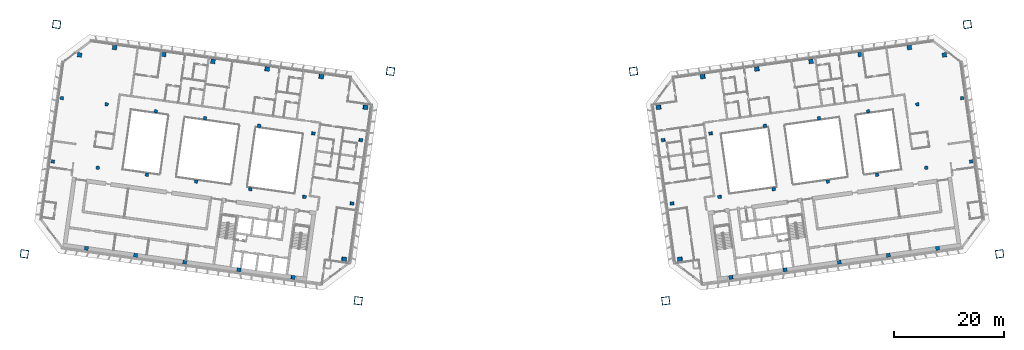
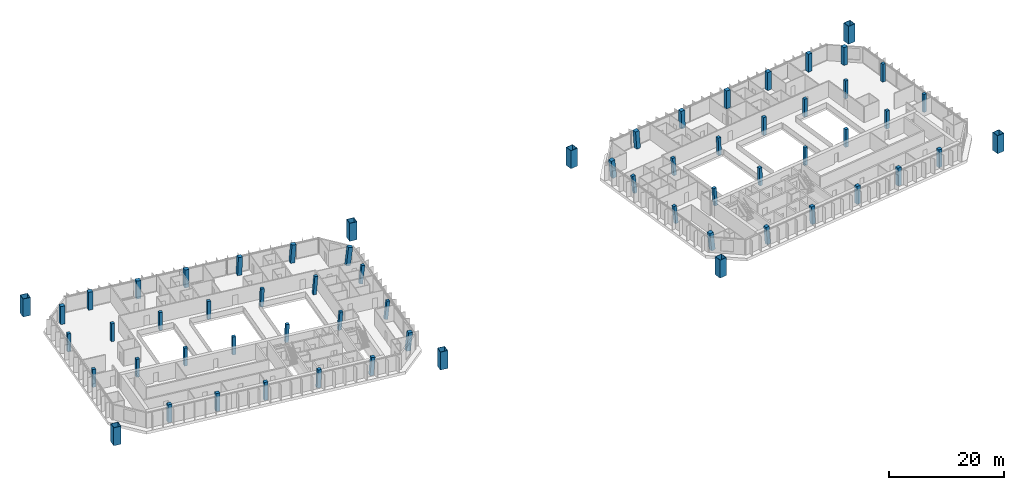
# One storey, part 1 of 23: 62 columns.
"""IFC4 building model written with IfcOpenShell, lengths in metres."""

from ifc_helpers import new_model, si_unit, direction, frame, origin, origin_2d, place, context, subcontext, project, spatial, rectangle, hollow_rectangle, extrude, material, material_profile, profile_set, type_object, element, save


model = new_model("IFC4")

# Units and contexts
model_context = context("Model", 3, precision=1e-05, world=origin(), true_north=direction((0.0, 1.0)))
body_context = subcontext(model_context, "Body", "Model", "MODEL_VIEW")
ifc_project = project(units=[si_unit("LENGTHUNIT", "METRE"), si_unit("AREAUNIT", "SQUARE_METRE"), si_unit("VOLUMEUNIT", "CUBIC_METRE"), si_unit("PLANEANGLEUNIT", "RADIAN"), si_unit("MASSUNIT", "GRAM", prefix="KILO")], contexts=[model_context])

# Site, building, storey
site_placement = place(None, origin())
site = spatial("IfcSite", under=ifc_project, at=site_placement, CompositionType="ELEMENT")
building_placement = place(site_placement, origin())
building = spatial("IfcBuilding", under=site, at=building_placement, Name="Mirante Cascada Hotel Towers", CompositionType="ELEMENT")
storey_placement = place(building_placement, frame((0.0, 0.0, 199.2)))
storey = spatial("IfcBuildingStorey", under=building, at=storey_placement, Name="L47", CompositionType="ELEMENT", Elevation=199.2)

# Columns
ifc_material_1 = material(Name="Steel ASTM A572 Gr 50", Category="steel")
ifc_material_profile_1 = material_profile(ifc_material_1, hollow_rectangle(XDim=1.4, YDim=1.4, WallThickness=0.06, at=origin_2d()), Name="Box column 1400x1400x60 ASTM A572 Gr 50")
ifc_profile_set_1 = profile_set([ifc_material_profile_1], Name="Steel ASTM A572 Gr 50")
column_type_1 = type_object("IfcColumnType", Name="Box column 1400x1400x60 ASTM A572 Gr 50", PredefinedType="COLUMN", material=ifc_profile_set_1)
for number, where, z_axis, x_axis, name in (
    (1, (-22.0227, 18.0852, 0.0), (0.0, 0.0, 1.0), (-0.9902681, 0.1391731, 0.0), "Mega column MC1 T1 L47"),
    (2, (-27.868, -23.506, 0.0), (0.0, 0.0, 1.0), (-0.9902681, 0.1391731, 0.0), "Mega column MC2 T1 L47"),
    (3, (-82.5324, 26.5893, 0.0), (0.0, 0.0, 1.0), (-0.9902681, 0.1391731, 0.0), "Mega column MC3 T1 L47"),
    (4, (-88.3776, -15.0019, 0.0), (0.0, 0.0, 1.0), (-0.9902681, 0.1391731, 0.0), "Mega column MC4 T1 L47"),
    (5, (22.0227, 18.0852, 0.0), (0.0, 0.0, 1.0), (0.9902681, 0.1391731, 0.0), "Mega column MC1 T2 L47"),
    (6, (27.868, -23.506, 0.0), (0.0, 0.0, 1.0), (0.9902681, 0.1391731, 0.0), "Mega column MC2 T2 L47"),
    (7, (82.5324, 26.5893, 0.0), (0.0, 0.0, 1.0), (0.9902681, 0.1391731, 0.0), "Mega column MC3 T2 L47"),
    (8, (88.3776, -15.0019, 0.0), (0.0, 0.0, 1.0), (0.9902681, 0.1391731, 0.0), "Mega column MC4 T2 L47"),
):
    element("IfcColumn", number, at=place(storey_placement, frame(where, z_axis=z_axis, x_axis=x_axis)), inside=storey, type_object=column_type_1, Name=name, PredefinedType="COLUMN", context=body_context, shape_type="SweptSolid", body=[
        extrude(hollow_rectangle(XDim=1.4, YDim=1.4, WallThickness=0.06, at=origin_2d()), origin(), (0.0, 0.0, 1.0), 3.8),
    ])
ifc_material_2 = material(Name="Concrete C50/60", Category="concrete")
ifc_material_profile_2 = material_profile(ifc_material_2, rectangle(XDim=0.6, YDim=0.6, at=origin_2d()), Name="RC column 600x600 C50/60")
ifc_profile_set_2 = profile_set([ifc_material_profile_2], Name="Concrete C50/60")
column_type_2 = type_object("IfcColumnType", Name="RC column 600x600 C50/60", PredefinedType="COLUMN", material=ifc_profile_set_2)
for number, where, z_axis, x_axis, name in (
    (9, (-27.4685, 5.6219, 0.004), (0.1066804, -0.0149966, 0.9941803), (0.1392064, 0.9902634, 0.0), "Column T1 L47 2"),
    (10, (-29.0829, -5.8653, 0.004), (0.1066804, -0.0149704, 0.9941807), (0.1389677, 0.9902969, 0.0), "Column T1 L47 3"),
):
    element("IfcColumn", number, at=place(storey_placement, frame(where, z_axis=z_axis, x_axis=x_axis)), inside=storey, type_object=column_type_2, Name=name, PredefinedType="COLUMN", context=body_context, shape_type="SweptSolid", body=[
        extrude(rectangle(XDim=0.6, YDim=0.6, at=origin_2d()), origin(), (0.0, 0.0, 1.0), 3.8142),
    ])
for number, where, z_axis, x_axis, name in (
    (11, (-36.0583, 6.8291, 0.004), (0.0773996, -0.0108843, 0.9969407), (0.1392548, 0.9902566, 0.0), "Column T1 L47 6"),
    (12, (-37.6727, -4.658, 0.004), (0.0773996, -0.0108843, 0.9969407), (0.1392548, 0.9902566, 0.0), "Column T1 L47 7"),
):
    element("IfcColumn", number, at=place(storey_placement, frame(where, z_axis=z_axis, x_axis=x_axis)), inside=storey, type_object=column_type_2, Name=name, PredefinedType="COLUMN", context=body_context, shape_type="SweptSolid", body=[
        extrude(rectangle(XDim=0.6, YDim=0.6, at=origin_2d()), origin(), (0.0, 0.0, 1.0), 3.8036),
    ])
for number, where, z_axis, x_axis, name in (
    (13, (-45.848, 8.2049, 0.004), (0.0387888, -0.0054547, 0.9992325), (0.1392548, 0.9902566, 0.0), "Column T1 L47 10"),
    (14, (-47.4624, -3.2822, 0.004), (0.0387888, -0.0054547, 0.9992325), (0.1392548, 0.9902566, 0.0), "Column T1 L47 11"),
):
    element("IfcColumn", number, at=place(storey_placement, frame(where, z_axis=z_axis, x_axis=x_axis)), inside=storey, type_object=column_type_2, Name=name, PredefinedType="COLUMN", context=body_context, shape_type="SweptSolid", body=[
        extrude(rectangle(XDim=0.6, YDim=0.6, at=origin_2d()), origin(), (0.0, 0.0, 1.0), 3.7949),
    ])
for number, where, z_axis, x_axis, name in (
    (15, (-55.6378, 9.5808, 0.0), (0.0, 0.0, 1.0), (-0.9902681, 0.1391731, 0.0), "Column T1 L47 14"),
    (16, (-57.2522, -1.9063, 0.0), (0.0, 0.0, 1.0), (-0.9902681, 0.1391731, 0.0), "Column T1 L47 15"),
    (17, (-64.5502, 10.8333, 0.0), (0.0, 0.0, 1.0), (-0.9902681, 0.1391731, 0.0), "Column T1 L47 18"),
    (18, (-66.1646, -0.6538, 0.0), (0.0, 0.0, 1.0), (-0.9902681, 0.1391731, 0.0), "Column T1 L47 19"),
    (19, (-73.4626, 12.0859, 0.0), (0.0, 0.0, 1.0), (-0.9902681, 0.1391731, 0.0), "Column T1 L47 22"),
    (20, (-75.077, 0.5988, 0.0), (0.0, 0.0, 1.0), (-0.9902681, 0.1391731, 0.0), "Column T1 L47 23"),
    (21, (-81.5828, 13.2271, 0.0), (0.0, 0.0, 1.0), (-0.9902681, 0.1391731, 0.0), "Column T1 L47 26"),
    (22, (-83.1972, 1.74, 0.0), (0.0, 0.0, 1.0), (-0.9902681, 0.1391731, 0.0), "Column T1 L47 27"),
):
    element("IfcColumn", number, at=place(storey_placement, frame(where, z_axis=z_axis, x_axis=x_axis)), inside=storey, type_object=column_type_2, Name=name, PredefinedType="COLUMN", context=body_context, shape_type="SweptSolid", body=[
        extrude(rectangle(XDim=0.6, YDim=0.6, at=origin_2d()), origin(), (0.0, 0.0, 1.0), 3.8),
    ])
for number, where, z_axis, x_axis, name in (
    (23, (27.4685, 5.6219, 0.004), (-0.1066804, -0.0149966, 0.9941803), (0.1392064, -0.9902634, 0.0), "Column T2 L47 2"),
    (24, (29.0829, -5.8653, 0.004), (-0.1066804, -0.0149704, 0.9941807), (0.1389677, -0.9902969, 0.0), "Column T2 L47 3"),
):
    element("IfcColumn", number, at=place(storey_placement, frame(where, z_axis=z_axis, x_axis=x_axis)), inside=storey, type_object=column_type_2, Name=name, PredefinedType="COLUMN", context=body_context, shape_type="SweptSolid", body=[
        extrude(rectangle(XDim=0.6, YDim=0.6, at=origin_2d()), origin(), (0.0, 0.0, 1.0), 3.8142),
    ])
for number, where, z_axis, x_axis, name in (
    (25, (36.0583, 6.8291, 0.004), (-0.0773996, -0.0108843, 0.9969407), (0.1392548, -0.9902566, 0.0), "Column T2 L47 6"),
    (26, (37.6727, -4.658, 0.004), (-0.0773996, -0.0108843, 0.9969407), (0.1392548, -0.9902566, 0.0), "Column T2 L47 7"),
):
    element("IfcColumn", number, at=place(storey_placement, frame(where, z_axis=z_axis, x_axis=x_axis)), inside=storey, type_object=column_type_2, Name=name, PredefinedType="COLUMN", context=body_context, shape_type="SweptSolid", body=[
        extrude(rectangle(XDim=0.6, YDim=0.6, at=origin_2d()), origin(), (0.0, 0.0, 1.0), 3.8036),
    ])
for number, where, z_axis, x_axis, name in (
    (27, (45.848, 8.2049, 0.004), (-0.0387888, -0.0054547, 0.9992325), (0.1392548, -0.9902566, 0.0), "Column T2 L47 10"),
    (28, (47.4624, -3.2822, 0.004), (-0.0387888, -0.0054547, 0.9992325), (0.1392548, -0.9902566, 0.0), "Column T2 L47 11"),
):
    element("IfcColumn", number, at=place(storey_placement, frame(where, z_axis=z_axis, x_axis=x_axis)), inside=storey, type_object=column_type_2, Name=name, PredefinedType="COLUMN", context=body_context, shape_type="SweptSolid", body=[
        extrude(rectangle(XDim=0.6, YDim=0.6, at=origin_2d()), origin(), (0.0, 0.0, 1.0), 3.7949),
    ])
for number, where, z_axis, x_axis, name in (
    (29, (55.6378, 9.5808, 0.0), (0.0, 0.0, 1.0), (0.9902681, 0.1391731, 0.0), "Column T2 L47 14"),
    (30, (57.2522, -1.9063, 0.0), (0.0, 0.0, 1.0), (0.9902681, 0.1391731, 0.0), "Column T2 L47 15"),
    (31, (64.5502, 10.8333, 0.0), (0.0, 0.0, 1.0), (0.9902681, 0.1391731, 0.0), "Column T2 L47 18"),
    (32, (66.1646, -0.6538, 0.0), (0.0, 0.0, 1.0), (0.9902681, 0.1391731, 0.0), "Column T2 L47 19"),
    (33, (73.4626, 12.0859, 0.0), (0.0, 0.0, 1.0), (0.9902681, 0.1391731, 0.0), "Column T2 L47 22"),
    (34, (75.077, 0.5988, 0.0), (0.0, 0.0, 1.0), (0.9902681, 0.1391731, 0.0), "Column T2 L47 23"),
    (35, (81.5828, 13.2271, 0.0), (0.0, 0.0, 1.0), (0.9902681, 0.1391731, 0.0), "Column T2 L47 26"),
    (36, (83.1972, 1.74, 0.0), (0.0, 0.0, 1.0), (0.9902681, 0.1391731, 0.0), "Column T2 L47 27"),
):
    element("IfcColumn", number, at=place(storey_placement, frame(where, z_axis=z_axis, x_axis=x_axis)), inside=storey, type_object=column_type_2, Name=name, PredefinedType="COLUMN", context=body_context, shape_type="SweptSolid", body=[
        extrude(rectangle(XDim=0.6, YDim=0.6, at=origin_2d()), origin(), (0.0, 0.0, 1.0), 3.8),
    ])
ifc_material_3 = material(Name="Concrete C50/60", Category="concrete")
ifc_material_profile_3 = material_profile(ifc_material_3, rectangle(XDim=0.7, YDim=0.7, at=origin_2d()), Name="RC column 700x700 C50/60")
ifc_profile_set_3 = profile_set([ifc_material_profile_3], Name="Concrete C50/60")
column_type_3 = type_object("IfcColumnType", Name="RC column 700x700 C50/60", PredefinedType="COLUMN", material=ifc_profile_set_3)
column_1_placement = place(storey_placement, frame((-39.7255, -19.2645, 0.004), z_axis=(0.0773996, -0.0108843, 0.9969407), x_axis=(0.1392548, 0.9902566, 0.0)))
element("IfcColumn", 37, at=column_1_placement, inside=storey, type_object=column_type_3, Name="Column T1 L47 8", PredefinedType="COLUMN", context=body_context, shape_type="SweptSolid", body=[
    extrude(rectangle(XDim=0.7, YDim=0.7, at=origin_2d()), origin(), (0.0, 0.0, 1.0), 3.8036),
])
column_2_placement = place(storey_placement, frame((-49.5152, -17.8886, 0.004), z_axis=(0.0387888, -0.0054547, 0.9992325), x_axis=(0.1392548, 0.9902566, 0.0)))
element("IfcColumn", 38, at=column_2_placement, inside=storey, type_object=column_type_3, Name="Column T1 L47 12", PredefinedType="COLUMN", context=body_context, shape_type="SweptSolid", body=[
    extrude(rectangle(XDim=0.7, YDim=0.7, at=origin_2d()), origin(), (0.0, 0.0, 1.0), 3.7949),
])
for number, where, z_axis, x_axis, name in (
    (39, (-59.305, -16.5128, 0.0), (0.0, 0.0, 1.0), (-0.9902681, 0.1391731, 0.0), "Column T1 L47 16"),
    (40, (-68.2174, -15.2602, 0.0), (0.0, 0.0, 1.0), (-0.9902681, 0.1391731, 0.0), "Column T1 L47 20"),
    (41, (-77.1298, -14.0077, 0.0), (0.0, 0.0, 1.0), (-0.9902681, 0.1391731, 0.0), "Column T1 L47 24"),
):
    element("IfcColumn", number, at=place(storey_placement, frame(where, z_axis=z_axis, x_axis=x_axis)), inside=storey, type_object=column_type_3, Name=name, PredefinedType="COLUMN", context=body_context, shape_type="SweptSolid", body=[
        extrude(rectangle(XDim=0.7, YDim=0.7, at=origin_2d()), origin(), (0.0, 0.0, 1.0), 3.8),
    ])
column_3_placement = place(storey_placement, frame((39.7255, -19.2645, 0.004), z_axis=(-0.0773996, -0.0108843, 0.9969407), x_axis=(0.1392548, -0.9902566, 0.0)))
element("IfcColumn", 42, at=column_3_placement, inside=storey, type_object=column_type_3, Name="Column T2 L47 8", PredefinedType="COLUMN", context=body_context, shape_type="SweptSolid", body=[
    extrude(rectangle(XDim=0.7, YDim=0.7, at=origin_2d()), origin(), (0.0, 0.0, 1.0), 3.8036),
])
column_4_placement = place(storey_placement, frame((49.5152, -17.8886, 0.004), z_axis=(-0.0387888, -0.0054547, 0.9992325), x_axis=(0.1392548, -0.9902566, 0.0)))
element("IfcColumn", 43, at=column_4_placement, inside=storey, type_object=column_type_3, Name="Column T2 L47 12", PredefinedType="COLUMN", context=body_context, shape_type="SweptSolid", body=[
    extrude(rectangle(XDim=0.7, YDim=0.7, at=origin_2d()), origin(), (0.0, 0.0, 1.0), 3.7949),
])
for number, where, z_axis, x_axis, name in (
    (44, (59.305, -16.5128, 0.0), (0.0, 0.0, 1.0), (0.9902681, 0.1391731, 0.0), "Column T2 L47 16"),
    (45, (68.2174, -15.2602, 0.0), (0.0, 0.0, 1.0), (0.9902681, 0.1391731, 0.0), "Column T2 L47 20"),
    (46, (77.1298, -14.0077, 0.0), (0.0, 0.0, 1.0), (0.9902681, 0.1391731, 0.0), "Column T2 L47 24"),
):
    element("IfcColumn", number, at=place(storey_placement, frame(where, z_axis=z_axis, x_axis=x_axis)), inside=storey, type_object=column_type_3, Name=name, PredefinedType="COLUMN", context=body_context, shape_type="SweptSolid", body=[
        extrude(rectangle(XDim=0.7, YDim=0.7, at=origin_2d()), origin(), (0.0, 0.0, 1.0), 3.8),
    ])
ifc_material_4 = material(Name="Concrete C50/60", Category="concrete")
ifc_material_profile_4 = material_profile(ifc_material_4, rectangle(XDim=0.8, YDim=0.8, at=origin_2d()), Name="RC column 800x800 C50/60")
ifc_profile_set_4 = profile_set([ifc_material_profile_4], Name="Concrete C50/60")
column_type_4 = type_object("IfcColumnType", Name="RC column 800x800 C50/60", PredefinedType="COLUMN", material=ifc_profile_set_4)
for number, where, z_axis, x_axis, name in (
    (47, (-26.6334, 11.5635, 0.004), (0.1066544, -0.0149966, 0.994183), (0.1392399, 0.9902587, 0.0), "Column T1 L47 1"),
    (48, (-30.5024, -15.966, 0.004), (0.1066544, -0.0149966, 0.994183), (0.1392399, 0.9902587, 0.0), "Column T1 L47 4"),
):
    element("IfcColumn", number, at=place(storey_placement, frame(where, z_axis=z_axis, x_axis=x_axis)), inside=storey, type_object=column_type_4, Name=name, PredefinedType="COLUMN", context=body_context, shape_type="SweptSolid", body=[
        extrude(rectangle(XDim=0.8, YDim=0.8, at=origin_2d()), origin(), (0.0, 0.0, 1.0), 3.8142),
    ])
column_5_placement = place(storey_placement, frame((-34.6109, 17.1279, 0.004), z_axis=(0.0773996, -0.0108843, 0.9969407), x_axis=(0.1392548, 0.9902566, 0.0)))
element("IfcColumn", 49, at=column_5_placement, inside=storey, type_object=column_type_4, Name="Column T1 L47 5", PredefinedType="COLUMN", context=body_context, shape_type="SweptSolid", body=[
    extrude(rectangle(XDim=0.8, YDim=0.8, at=origin_2d()), origin(), (0.0, 0.0, 1.0), 3.8036),
])
column_6_placement = place(storey_placement, frame((-44.4006, 18.5037, 0.004), z_axis=(0.0387888, -0.0054547, 0.9992325), x_axis=(0.1392548, 0.9902566, 0.0)))
element("IfcColumn", 50, at=column_6_placement, inside=storey, type_object=column_type_4, Name="Column T1 L47 9", PredefinedType="COLUMN", context=body_context, shape_type="SweptSolid", body=[
    extrude(rectangle(XDim=0.8, YDim=0.8, at=origin_2d()), origin(), (0.0, 0.0, 1.0), 3.7949),
])
for number, where, z_axis, x_axis, name in (
    (51, (-54.1904, 19.8796, 0.0), (0.0, 0.0, 1.0), (-0.9902681, 0.1391731, 0.0), "Column T1 L47 13"),
    (52, (-63.1028, 21.1321, 0.0), (0.0, 0.0, 1.0), (-0.9902681, 0.1391731, 0.0), "Column T1 L47 17"),
    (53, (-72.0152, 22.3847, 0.0), (0.0, 0.0, 1.0), (-0.9902681, 0.1391731, 0.0), "Column T1 L47 21"),
    (54, (-78.362, 21.0551, 0.0), (0.0, 0.0, 1.0), (-0.9902681, 0.1391731, 0.0), "Column T1 L47 25"),
):
    element("IfcColumn", number, at=place(storey_placement, frame(where, z_axis=z_axis, x_axis=x_axis)), inside=storey, type_object=column_type_4, Name=name, PredefinedType="COLUMN", context=body_context, shape_type="SweptSolid", body=[
        extrude(rectangle(XDim=0.8, YDim=0.8, at=origin_2d()), origin(), (0.0, 0.0, 1.0), 3.8),
    ])
for number, where, z_axis, x_axis, name in (
    (55, (26.6334, 11.5635, 0.004), (-0.1066544, -0.0149966, 0.994183), (0.1392399, -0.9902587, 0.0), "Column T2 L47 1"),
    (56, (30.5024, -15.966, 0.004), (-0.1066544, -0.0149966, 0.994183), (0.1392399, -0.9902587, 0.0), "Column T2 L47 4"),
):
    element("IfcColumn", number, at=place(storey_placement, frame(where, z_axis=z_axis, x_axis=x_axis)), inside=storey, type_object=column_type_4, Name=name, PredefinedType="COLUMN", context=body_context, shape_type="SweptSolid", body=[
        extrude(rectangle(XDim=0.8, YDim=0.8, at=origin_2d()), origin(), (0.0, 0.0, 1.0), 3.8142),
    ])
column_7_placement = place(storey_placement, frame((34.6109, 17.1279, 0.004), z_axis=(-0.0773996, -0.0108843, 0.9969407), x_axis=(0.1392548, -0.9902566, 0.0)))
element("IfcColumn", 57, at=column_7_placement, inside=storey, type_object=column_type_4, Name="Column T2 L47 5", PredefinedType="COLUMN", context=body_context, shape_type="SweptSolid", body=[
    extrude(rectangle(XDim=0.8, YDim=0.8, at=origin_2d()), origin(), (0.0, 0.0, 1.0), 3.8036),
])
column_8_placement = place(storey_placement, frame((44.4006, 18.5037, 0.004), z_axis=(-0.0387888, -0.0054547, 0.9992325), x_axis=(0.1392548, -0.9902566, 0.0)))
element("IfcColumn", 58, at=column_8_placement, inside=storey, type_object=column_type_4, Name="Column T2 L47 9", PredefinedType="COLUMN", context=body_context, shape_type="SweptSolid", body=[
    extrude(rectangle(XDim=0.8, YDim=0.8, at=origin_2d()), origin(), (0.0, 0.0, 1.0), 3.7949),
])
for number, where, z_axis, x_axis, name in (
    (59, (54.1904, 19.8796, 0.0), (0.0, 0.0, 1.0), (0.9902681, 0.1391731, 0.0), "Column T2 L47 13"),
    (60, (63.1028, 21.1321, 0.0), (0.0, 0.0, 1.0), (0.9902681, 0.1391731, 0.0), "Column T2 L47 17"),
    (61, (72.0152, 22.3847, 0.0), (0.0, 0.0, 1.0), (0.9902681, 0.1391731, 0.0), "Column T2 L47 21"),
    (62, (78.362, 21.0551, 0.0), (0.0, 0.0, 1.0), (0.9902681, 0.1391731, 0.0), "Column T2 L47 25"),
):
    element("IfcColumn", number, at=place(storey_placement, frame(where, z_axis=z_axis, x_axis=x_axis)), inside=storey, type_object=column_type_4, Name=name, PredefinedType="COLUMN", context=body_context, shape_type="SweptSolid", body=[
        extrude(rectangle(XDim=0.8, YDim=0.8, at=origin_2d()), origin(), (0.0, 0.0, 1.0), 3.8),
    ])

save(model, "model.ifc")
